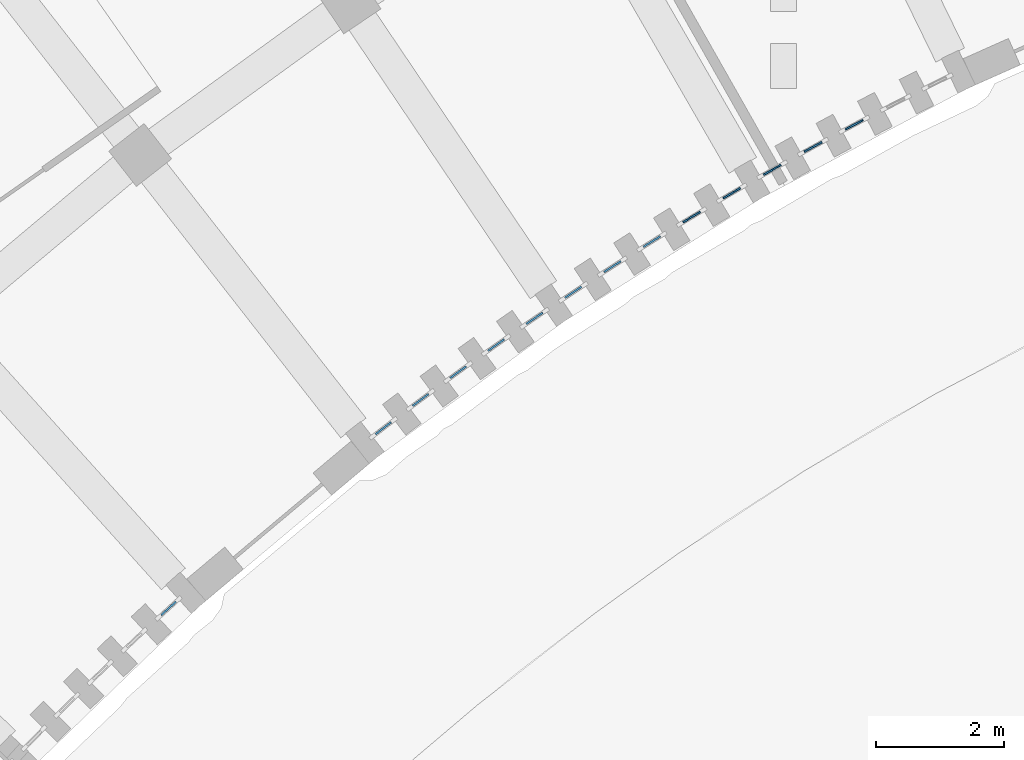
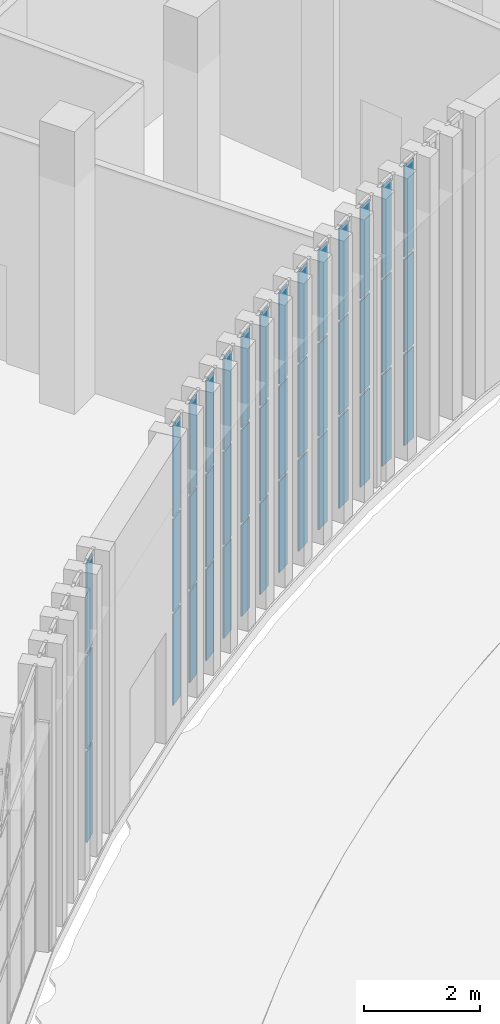
# One storey, part 73 of 155: 42 plates, 14 elements without a shape of their own.
"""IFC4 building model written with IfcOpenShell, lengths in metres."""

import ifcopenshell
import ifcopenshell.guid

model = None  # the IFC model being written
_history = None  # IfcOwnerHistory: only IFC2X3 demands one
_inside = {}  # id of a spatial element -> (the spatial element, [elements in it])
_under = {}  # id of a project, library or spatial element -> (it, [spatial elements below it])
_declared = {}  # id of a project -> (the project, [libraries it declares])
_typed = {}  # id of a type object -> (the type object, [elements of that type])
_made_of = {}  # id of a material, layer set ... -> (it, [elements and type objects made of it])


def new_model(schema):
    """Start an empty IFC model of exactly this schema.

    Asked for "IFC4X3", IfcOpenShell would pick the latest addendum, in which some entities
    have other attributes; the version numbers below select the first issue.
    IFC2X3 requires an IfcOwnerHistory on every rooted entity: one is made here for all.
    """
    global model, _history
    if schema == "IFC4X3":
        model = ifcopenshell.file(schema_version=(4, 3, 0, 0))
    else:
        model = ifcopenshell.file(schema=schema)
    _inside.clear()
    _under.clear()
    _declared.clear()
    _typed.clear()
    _made_of.clear()
    _history = None
    if model.schema == "IFC2X3":
        org = make("IfcOrganization", Name="unknown")
        user = make(
            "IfcPersonAndOrganization",
            ThePerson=make("IfcPerson", FamilyName="unknown"),
            TheOrganization=org,
        )
        app = make(
            "IfcApplication",
            ApplicationDeveloper=org,
            Version="unknown",
            ApplicationFullName="unknown",
            ApplicationIdentifier="unknown",
        )
        _history = make(
            "IfcOwnerHistory",
            OwningUser=user,
            OwningApplication=app,
            ChangeAction="ADDED",
            CreationDate=0,
        )
    return model


def make(cls, **values):
    """One entity of the class cls with the attributes given. An attribute that is None is left unset."""
    return model.create_entity(
        cls, **{name: value for name, value in values.items() if value is not None}
    )


def rooted(cls, **values):
    """An entity with a GlobalId (a new one), such as an element, a storey or a relation."""
    return make(cls, GlobalId=ifcopenshell.guid.new(), OwnerHistory=_history, **values)


def si_unit(unit_type, name, prefix=None):
    """IfcSIUnit, for example si_unit("LENGTHUNIT", "METRE", prefix="MILLI")."""
    return make("IfcSIUnit", UnitType=unit_type, Prefix=prefix, Name=name)


def assignment(units):
    """IfcUnitAssignment: the units of a project."""
    return None if units is None else make("IfcUnitAssignment", Units=units)


def point(xyz):
    """IfcCartesianPoint."""
    return None if xyz is None else make("IfcCartesianPoint", Coordinates=xyz)


def direction(xyz):
    """IfcDirection."""
    return None if xyz is None else make("IfcDirection", DirectionRatios=xyz)


def frame(location, z_axis=None, x_axis=None):
    """IfcAxis2Placement3D, a coordinate frame: its origin and axes. An axis left out is left unset."""
    return make(
        "IfcAxis2Placement3D",
        Location=point(location),
        Axis=direction(z_axis),
        RefDirection=direction(x_axis),
    )


def frame_2d(location, x_axis=None):
    """IfcAxis2Placement2D, a coordinate frame in the plane: its origin and x axis."""
    return make(
        "IfcAxis2Placement2D", Location=point(location), RefDirection=direction(x_axis)
    )


def origin():
    """The frame at (0, 0, 0) with its axes left unset."""
    return frame((0.0, 0.0, 0.0))


def origin_2d():
    """The frame at (0, 0) in the plane with its x axis left unset."""
    return frame_2d((0.0, 0.0))


def place(relative_to, where):
    """IfcLocalPlacement: puts the frame where relative to a parent placement (None: the world)."""
    return make(
        "IfcLocalPlacement", PlacementRelTo=relative_to, RelativePlacement=where
    )


def context(
    kind, dimensions, precision=None, world=None, true_north=None, identifier=None
):
    """IfcGeometricRepresentationContext, for example the 3D "Model" context."""
    return make(
        "IfcGeometricRepresentationContext",
        ContextIdentifier=identifier,
        ContextType=kind,
        CoordinateSpaceDimension=dimensions,
        Precision=precision,
        WorldCoordinateSystem=world,
        TrueNorth=true_north,
    )


def subcontext(parent, identifier, kind, view, scale=None):
    """IfcGeometricRepresentationSubContext, for example "Body" below "Model"."""
    return make(
        "IfcGeometricRepresentationSubContext",
        ContextIdentifier=identifier,
        ContextType=kind,
        ParentContext=parent,
        TargetScale=scale,
        TargetView=view,
    )


def project(units=None, contexts=None):
    """IfcProject with its units and contexts."""
    return rooted(
        "IfcProject",
        Name="project",
        RepresentationContexts=contexts,
        UnitsInContext=assignment(units),
    )


def spatial(cls, under=None, at=None, **own):
    """A site, building, storey or space (cls), placed at a placement, below another one or the project."""
    s = rooted(cls, ObjectPlacement=at, **own)
    if under is not None:
        _under.setdefault(under.id(), (under, []))[1].append(s)
    return s


def profile(cls, at=None, kind="AREA", **sizes):
    """A parametric profile (cls). Its sizes go by their IFC names, for example OverallWidth=200.0."""
    return make(cls, ProfileType=kind, Position=at, **sizes)


def rectangle(**sizes):
    """IfcRectangleProfileDef."""
    return profile("IfcRectangleProfileDef", **sizes)


def extrude(swept, where, along, depth):
    """IfcExtrudedAreaSolid: the profile swept, set in the frame where, extruded along a direction by depth."""
    return make(
        "IfcExtrudedAreaSolid",
        SweptArea=swept,
        Position=where,
        ExtrudedDirection=direction(along),
        Depth=depth,
    )


def shape(context_of_items, identifier, shape_type, items):
    """IfcShapeRepresentation: the items that make up one representation, for example the "Body"."""
    return make(
        "IfcShapeRepresentation",
        ContextOfItems=context_of_items,
        RepresentationIdentifier=identifier,
        RepresentationType=shape_type,
        Items=items,
    )


def material(Name=None, Category=None):
    """IfcMaterial."""
    return make("IfcMaterial", Name=Name, Category=Category)


def layer(
    of_material, thickness, ventilated=None, Name=None, Category=None, Priority=None
):
    """IfcMaterialLayer: one layer of a wall or slab, of a material (None: an air gap)."""
    return make(
        "IfcMaterialLayer",
        Material=of_material,
        LayerThickness=thickness,
        IsVentilated=ventilated,
        Name=Name,
        Category=Category,
        Priority=Priority,
    )


def layer_set(layers, Name=None):
    """IfcMaterialLayerSet."""
    return make("IfcMaterialLayerSet", MaterialLayers=layers, LayerSetName=Name)


def made_of(thing, what):
    """Note that an element or type object is made of a material, layer set ...; save() writes the relation."""
    if what is not None:
        _made_of.setdefault(what.id(), (what, []))[1].append(thing)
    return thing


def type_object(cls, material=None, **own):
    """A type object (cls), such as IfcWallType, which elements share."""
    return made_of(rooted(cls, **own), material)


def element(
    cls,
    number,
    at=None,
    inside=None,
    cuts=None,
    type_object=None,
    material=None,
    context=None,
    identifier="Body",
    shape_type=None,
    held_by="IfcProductDefinitionShape",
    body=None,
    shapes=None,
    **own,
):
    """One element of the class cls, such as IfcWall. Its Tag is "e" and its number.

    at: its placement. inside: the storey or other place that contains it. cuts: it is an
    opening in that element (IfcRelVoidsElement). A single representation is given by context,
    identifier, shape_type and body (its items); several are given by shapes. held_by: the class
    of the entity that holds the representations. save() writes the other relations.
    """
    e = rooted(cls, Tag="e%d" % number, ObjectPlacement=at, **own)
    if body is not None:
        shapes = [shape(context, identifier, shape_type, body)]
    if shapes is not None:
        e.Representation = make(held_by, Representations=shapes)
    if inside is not None:
        _inside.setdefault(inside.id(), (inside, []))[1].append(e)
    if cuts is not None:
        rooted(
            "IfcRelVoidsElement", RelatingBuildingElement=cuts, RelatedOpeningElement=e
        )
    if type_object is not None:
        _typed.setdefault(type_object.id(), (type_object, []))[1].append(e)
    return made_of(e, material)


def aggregate(whole, parts):
    """IfcRelAggregates: a whole, such as a stair, and the parts it consists of."""
    return rooted("IfcRelAggregates", RelatingObject=whole, RelatedObjects=parts)


def save(model, path):
    """Write the relations noted so far, then the file.

    IfcRelAggregates (storeys below a building ...), IfcRelContainedInSpatialStructure (elements
    in a storey), IfcRelDefinesByType, IfcRelAssociatesMaterial and IfcRelDeclares: one each for
    every whole, place, type object, material and project.
    """
    for whole, parts in _under.values():
        aggregate(whole, parts)
    for where, things in _inside.values():
        rooted(
            "IfcRelContainedInSpatialStructure",
            RelatedElements=things,
            RelatingStructure=where,
        )
    for kind, things in _typed.values():
        rooted("IfcRelDefinesByType", RelatedObjects=things, RelatingType=kind)
    for what, things in _made_of.values():
        rooted("IfcRelAssociatesMaterial", RelatedObjects=things, RelatingMaterial=what)
    for by, libraries in _declared.values():
        rooted("IfcRelDeclares", RelatingContext=by, RelatedDefinitions=libraries)
    model.write(path)


model = new_model("IFC4")

# Units and contexts
model_context = context("Model", 3, precision=1e-05, world=origin(), true_north=direction((0.0, 1.0)))
body_context = subcontext(model_context, "Body", "Model", "MODEL_VIEW")
ifc_project = project(units=[si_unit("LENGTHUNIT", "METRE"), si_unit("AREAUNIT", "SQUARE_METRE"), si_unit("VOLUMEUNIT", "CUBIC_METRE"), si_unit("PLANEANGLEUNIT", "RADIAN"), si_unit("MASSUNIT", "GRAM", prefix="KILO")], contexts=[model_context])

# Site, building, storey
site_placement = place(None, origin())
site = spatial("IfcSite", under=ifc_project, at=site_placement, CompositionType="ELEMENT")
building_placement = place(site_placement, origin())
building = spatial("IfcBuilding", under=site, at=building_placement, Name="Lunette Opera House", CompositionType="ELEMENT")
storey_placement = place(building_placement, origin())
storey = spatial("IfcBuildingStorey", under=building, at=storey_placement, Name="L00", CompositionType="ELEMENT", Elevation=0.0)

# Curtain wall, plates
ifc_material_1 = material(Name="Aluminium", Category="aluminium")
ifc_layer_1 = layer(ifc_material_1, 0.1201171875)
ifc_layer_set_1 = layer_set([ifc_layer_1], Name="Aluminium")
curtain_wall_type = type_object("IfcCurtainWallType", Name="SLOT CURTAIN WALL", PredefinedType="NOTDEFINED", material=ifc_layer_set_1)
curtain_wall_1_placement = place(storey_placement, origin())
curtain_wall_1 = element("IfcCurtainWall", 1, at=curtain_wall_1_placement, inside=storey, type_object=curtain_wall_type, Name="Slot Curtain Wall CS005 L00", PredefinedType="NOTDEFINED")
ifc_material_2 = material(Name="Laminated glass", Category="glass")
ifc_layer_2 = layer(ifc_material_2, 0.028076171875)
ifc_layer_set_2 = layer_set([ifc_layer_2], Name="Laminated glass")
plate_type = type_object("IfcPlateType", Name="CURTAIN PANEL LAMINATED GLASS 28", PredefinedType="CURTAIN_PANEL", material=ifc_layer_set_2)
plate_1_placement = place(storey_placement, frame((60.73388671875, 38.62109375, 0.06005859375), z_axis=(0.0, 0.0, 1.0), x_axis=(0.738887791071, 0.673828488716, 0.0)))
plate_1 = element("IfcPlate", 2, at=plate_1_placement, type_object=plate_type, Name="FC-X2009 panel 1.1", PredefinedType="CURTAIN_PANEL", context=body_context, shape_type="SweptSolid", body=[
    extrude(rectangle(XDim=0.310302734375, YDim=0.028076171875, at=origin_2d()), origin(), (0.0, 0.0, 1.0), 1.909912109375),
])
plate_2_placement = place(storey_placement, frame((60.73388671875, 38.62109375, 2.030029296875), z_axis=(0.0, 0.0, 1.0), x_axis=(0.738887791071, 0.673828488716, 0.0)))
plate_2 = element("IfcPlate", 3, at=plate_2_placement, type_object=plate_type, Name="FC-X2009 panel 1.2", PredefinedType="CURTAIN_PANEL", context=body_context, shape_type="SweptSolid", body=[
    extrude(rectangle(XDim=0.310302734375, YDim=0.028076171875, at=origin_2d()), origin(), (0.0, 0.0, 1.0), 1.93994140625),
])
plate_3_placement = place(storey_placement, frame((60.73388671875, 38.62109375, 4.0302734375), z_axis=(0.0, 0.0, 1.0), x_axis=(0.738887791071, 0.673828488716, 0.0)))
plate_3 = element("IfcPlate", 4, at=plate_3_placement, type_object=plate_type, Name="FC-X2009 panel 1.3", PredefinedType="CURTAIN_PANEL", context=body_context, shape_type="SweptSolid", body=[
    extrude(rectangle(XDim=0.310302734375, YDim=0.028076171875, at=origin_2d()), origin(), (0.0, 0.0, 1.0), 1.909912109375),
])
aggregate(curtain_wall_1, [plate_1, plate_2, plate_3])

curtain_wall_2_placement = place(storey_placement, origin())
curtain_wall_2 = element("IfcCurtainWall", 5, at=curtain_wall_2_placement, inside=storey, type_object=curtain_wall_type, Name="Slot Curtain Wall CS006 L00", PredefinedType="NOTDEFINED")
plate_4_placement = place(storey_placement, frame((64.089599609375, 41.4365234375, 0.06005859375), z_axis=(0.0, 0.0, 1.0), x_axis=(0.791846424704, 0.610720263036, 0.0)))
plate_4 = element("IfcPlate", 6, at=plate_4_placement, type_object=plate_type, Name="FC-X2011 panel 1.1", PredefinedType="CURTAIN_PANEL", context=body_context, shape_type="SweptSolid", body=[
    extrude(rectangle(XDim=0.310546875, YDim=0.028076171875, at=origin_2d()), origin(), (0.0, 0.0, 1.0), 1.909912109375),
])
plate_5_placement = place(storey_placement, frame((64.089599609375, 41.4365234375, 2.030029296875), z_axis=(0.0, 0.0, 1.0), x_axis=(0.791846424704, 0.610720263036, 0.0)))
plate_5 = element("IfcPlate", 7, at=plate_5_placement, type_object=plate_type, Name="FC-X2011 panel 1.2", PredefinedType="CURTAIN_PANEL", context=body_context, shape_type="SweptSolid", body=[
    extrude(rectangle(XDim=0.310546875, YDim=0.028076171875, at=origin_2d()), origin(), (0.0, 0.0, 1.0), 1.93994140625),
])
plate_6_placement = place(storey_placement, frame((64.089599609375, 41.4365234375, 4.0302734375), z_axis=(0.0, 0.0, 1.0), x_axis=(0.791846424704, 0.610720263036, 0.0)))
plate_6 = element("IfcPlate", 8, at=plate_6_placement, type_object=plate_type, Name="FC-X2011 panel 1.3", PredefinedType="CURTAIN_PANEL", context=body_context, shape_type="SweptSolid", body=[
    extrude(rectangle(XDim=0.310546875, YDim=0.028076171875, at=origin_2d()), origin(), (0.0, 0.0, 1.0), 1.909912109375),
])
aggregate(curtain_wall_2, [plate_4, plate_5, plate_6])

curtain_wall_3_placement = place(storey_placement, origin())
curtain_wall_3 = element("IfcCurtainWall", 9, at=curtain_wall_3_placement, inside=storey, type_object=curtain_wall_type, Name="Slot Curtain Wall CS007 L00", PredefinedType="NOTDEFINED")
plate_7_placement = place(storey_placement, frame((64.67138671875, 41.8779296875, 0.06005859375), z_axis=(0.0, 0.0, 1.0), x_axis=(0.800834877873, 0.598885213026, 0.0)))
plate_7 = element("IfcPlate", 10, at=plate_7_placement, type_object=plate_type, Name="FC-X2013 panel 1.1", PredefinedType="CURTAIN_PANEL", context=body_context, shape_type="SweptSolid", body=[
    extrude(rectangle(XDim=0.310791015625, YDim=0.028076171875, at=origin_2d()), origin(), (0.0, 0.0, 1.0), 1.909912109375),
])
plate_8_placement = place(storey_placement, frame((64.67138671875, 41.8779296875, 2.030029296875), z_axis=(0.0, 0.0, 1.0), x_axis=(0.800834877873, 0.598885213026, 0.0)))
plate_8 = element("IfcPlate", 11, at=plate_8_placement, type_object=plate_type, Name="FC-X2013 panel 1.2", PredefinedType="CURTAIN_PANEL", context=body_context, shape_type="SweptSolid", body=[
    extrude(rectangle(XDim=0.310791015625, YDim=0.028076171875, at=origin_2d()), origin(), (0.0, 0.0, 1.0), 1.93994140625),
])
plate_9_placement = place(storey_placement, frame((64.67138671875, 41.8779296875, 4.0302734375), z_axis=(0.0, 0.0, 1.0), x_axis=(0.800834877873, 0.598885213026, 0.0)))
plate_9 = element("IfcPlate", 12, at=plate_9_placement, type_object=plate_type, Name="FC-X2013 panel 1.3", PredefinedType="CURTAIN_PANEL", context=body_context, shape_type="SweptSolid", body=[
    extrude(rectangle(XDim=0.310791015625, YDim=0.028076171875, at=origin_2d()), origin(), (0.0, 0.0, 1.0), 1.909912109375),
])
aggregate(curtain_wall_3, [plate_7, plate_8, plate_9])

curtain_wall_4_placement = place(storey_placement, origin())
curtain_wall_4 = element("IfcCurtainWall", 13, at=curtain_wall_4_placement, inside=storey, type_object=curtain_wall_type, Name="Slot Curtain Wall CS008 L00", PredefinedType="NOTDEFINED")
plate_10_placement = place(storey_placement, frame((65.259033203125, 42.3115234375, 0.06005859375), z_axis=(0.0, 0.0, 1.0), x_axis=(0.808836580304, 0.58803349085, 0.0)))
plate_10 = element("IfcPlate", 14, at=plate_10_placement, type_object=plate_type, Name="FC-X2015 panel 1.1", PredefinedType="CURTAIN_PANEL", context=body_context, shape_type="SweptSolid", body=[
    extrude(rectangle(XDim=0.310302734375, YDim=0.028076171875, at=origin_2d()), origin(), (0.0, 0.0, 1.0), 1.909912109375),
])
plate_11_placement = place(storey_placement, frame((65.259033203125, 42.3115234375, 2.030029296875), z_axis=(0.0, 0.0, 1.0), x_axis=(0.808836580304, 0.58803349085, 0.0)))
plate_11 = element("IfcPlate", 15, at=plate_11_placement, type_object=plate_type, Name="FC-X2015 panel 1.2", PredefinedType="CURTAIN_PANEL", context=body_context, shape_type="SweptSolid", body=[
    extrude(rectangle(XDim=0.310302734375, YDim=0.028076171875, at=origin_2d()), origin(), (0.0, 0.0, 1.0), 1.93994140625),
])
plate_12_placement = place(storey_placement, frame((65.259033203125, 42.3115234375, 4.0302734375), z_axis=(0.0, 0.0, 1.0), x_axis=(0.808836580304, 0.58803349085, 0.0)))
plate_12 = element("IfcPlate", 16, at=plate_12_placement, type_object=plate_type, Name="FC-X2015 panel 1.3", PredefinedType="CURTAIN_PANEL", context=body_context, shape_type="SweptSolid", body=[
    extrude(rectangle(XDim=0.310302734375, YDim=0.028076171875, at=origin_2d()), origin(), (0.0, 0.0, 1.0), 1.909912109375),
])
aggregate(curtain_wall_4, [plate_10, plate_11, plate_12])

curtain_wall_5_placement = place(storey_placement, origin())
curtain_wall_5 = element("IfcCurtainWall", 17, at=curtain_wall_5_placement, inside=storey, type_object=curtain_wall_type, Name="Slot Curtain Wall CS009 L00", PredefinedType="NOTDEFINED")
plate_13_placement = place(storey_placement, frame((65.85302734375, 42.736083984375, 0.06005859375), z_axis=(0.0, 0.0, 1.0), x_axis=(0.817482433129, 0.575953532436, 0.0)))
plate_13 = element("IfcPlate", 18, at=plate_13_placement, type_object=plate_type, Name="FC-X2017 panel 1.1", PredefinedType="CURTAIN_PANEL", context=body_context, shape_type="SweptSolid", body=[
    extrude(rectangle(XDim=0.310546875, YDim=0.028076171875, at=origin_2d()), origin(), (0.0, 0.0, 1.0), 1.909912109375),
])
plate_14_placement = place(storey_placement, frame((65.85302734375, 42.736083984375, 2.030029296875), z_axis=(0.0, 0.0, 1.0), x_axis=(0.817482433129, 0.575953532436, 0.0)))
plate_14 = element("IfcPlate", 19, at=plate_14_placement, type_object=plate_type, Name="FC-X2017 panel 1.2", PredefinedType="CURTAIN_PANEL", context=body_context, shape_type="SweptSolid", body=[
    extrude(rectangle(XDim=0.310546875, YDim=0.028076171875, at=origin_2d()), origin(), (0.0, 0.0, 1.0), 1.93994140625),
])
plate_15_placement = place(storey_placement, frame((65.85302734375, 42.736083984375, 4.0302734375), z_axis=(0.0, 0.0, 1.0), x_axis=(0.817482433129, 0.575953532436, 0.0)))
plate_15 = element("IfcPlate", 20, at=plate_15_placement, type_object=plate_type, Name="FC-X2017 panel 1.3", PredefinedType="CURTAIN_PANEL", context=body_context, shape_type="SweptSolid", body=[
    extrude(rectangle(XDim=0.310546875, YDim=0.028076171875, at=origin_2d()), origin(), (0.0, 0.0, 1.0), 1.909912109375),
])
aggregate(curtain_wall_5, [plate_13, plate_14, plate_15])

curtain_wall_6_placement = place(storey_placement, origin())
curtain_wall_6 = element("IfcCurtainWall", 21, at=curtain_wall_6_placement, inside=storey, type_object=curtain_wall_type, Name="Slot Curtain Wall CS010 L00", PredefinedType="NOTDEFINED")
plate_16_placement = place(storey_placement, frame((66.452392578125, 43.153564453125, 0.06005859375), z_axis=(0.0, 0.0, 1.0), x_axis=(0.825193212937, 0.56485056548, 0.0)))
plate_16 = element("IfcPlate", 22, at=plate_16_placement, type_object=plate_type, Name="FC-X2019 panel 1.1", PredefinedType="CURTAIN_PANEL", context=body_context, shape_type="SweptSolid", body=[
    extrude(rectangle(XDim=0.310302734375, YDim=0.028076171875, at=origin_2d()), origin(), (0.0, 0.0, 1.0), 1.909912109375),
])
plate_17_placement = place(storey_placement, frame((66.452392578125, 43.153564453125, 2.030029296875), z_axis=(0.0, 0.0, 1.0), x_axis=(0.825193212937, 0.56485056548, 0.0)))
plate_17 = element("IfcPlate", 23, at=plate_17_placement, type_object=plate_type, Name="FC-X2019 panel 1.2", PredefinedType="CURTAIN_PANEL", context=body_context, shape_type="SweptSolid", body=[
    extrude(rectangle(XDim=0.310302734375, YDim=0.028076171875, at=origin_2d()), origin(), (0.0, 0.0, 1.0), 1.93994140625),
])
plate_18_placement = place(storey_placement, frame((66.452392578125, 43.153564453125, 4.0302734375), z_axis=(0.0, 0.0, 1.0), x_axis=(0.825193212937, 0.56485056548, 0.0)))
plate_18 = element("IfcPlate", 24, at=plate_18_placement, type_object=plate_type, Name="FC-X2019 panel 1.3", PredefinedType="CURTAIN_PANEL", context=body_context, shape_type="SweptSolid", body=[
    extrude(rectangle(XDim=0.310302734375, YDim=0.028076171875, at=origin_2d()), origin(), (0.0, 0.0, 1.0), 1.909912109375),
])
aggregate(curtain_wall_6, [plate_16, plate_17, plate_18])

curtain_wall_7_placement = place(storey_placement, origin())
curtain_wall_7 = element("IfcCurtainWall", 25, at=curtain_wall_7_placement, inside=storey, type_object=curtain_wall_type, Name="Slot Curtain Wall CS011 L00", PredefinedType="NOTDEFINED")
plate_19_placement = place(storey_placement, frame((67.05810546875, 43.56103515625, 0.06005859375), z_axis=(0.0, 0.0, 1.0), x_axis=(0.832765343277, 0.553626122068, 0.0)))
plate_19 = element("IfcPlate", 26, at=plate_19_placement, type_object=plate_type, Name="FC-X2021 panel 1.1", PredefinedType="CURTAIN_PANEL", context=body_context, shape_type="SweptSolid", body=[
    extrude(rectangle(XDim=0.309814453125, YDim=0.028076171875, at=origin_2d()), origin(), (0.0, 0.0, 1.0), 1.909912109375),
])
plate_20_placement = place(storey_placement, frame((67.05810546875, 43.56103515625, 2.030029296875), z_axis=(0.0, 0.0, 1.0), x_axis=(0.832765343277, 0.553626122068, 0.0)))
plate_20 = element("IfcPlate", 27, at=plate_20_placement, type_object=plate_type, Name="FC-X2021 panel 1.2", PredefinedType="CURTAIN_PANEL", context=body_context, shape_type="SweptSolid", body=[
    extrude(rectangle(XDim=0.309814453125, YDim=0.028076171875, at=origin_2d()), origin(), (0.0, 0.0, 1.0), 1.93994140625),
])
plate_21_placement = place(storey_placement, frame((67.05810546875, 43.56103515625, 4.0302734375), z_axis=(0.0, 0.0, 1.0), x_axis=(0.832765343277, 0.553626122068, 0.0)))
plate_21 = element("IfcPlate", 28, at=plate_21_placement, type_object=plate_type, Name="FC-X2021 panel 1.3", PredefinedType="CURTAIN_PANEL", context=body_context, shape_type="SweptSolid", body=[
    extrude(rectangle(XDim=0.309814453125, YDim=0.028076171875, at=origin_2d()), origin(), (0.0, 0.0, 1.0), 1.909912109375),
])
aggregate(curtain_wall_7, [plate_19, plate_20, plate_21])

curtain_wall_8_placement = place(storey_placement, origin())
curtain_wall_8 = element("IfcCurtainWall", 29, at=curtain_wall_8_placement, inside=storey, type_object=curtain_wall_type, Name="Slot Curtain Wall CS012 L00", PredefinedType="NOTDEFINED")
plate_22_placement = place(storey_placement, frame((67.6689453125, 43.96142578125, 0.06005859375), z_axis=(0.0, 0.0, 1.0), x_axis=(0.840876455946, 0.541227111143, 0.0)))
plate_22 = element("IfcPlate", 30, at=plate_22_placement, type_object=plate_type, Name="FC-X2023 panel 1.1", PredefinedType="CURTAIN_PANEL", context=body_context, shape_type="SweptSolid", body=[
    extrude(rectangle(XDim=0.310546875, YDim=0.028076171875, at=origin_2d()), origin(), (0.0, 0.0, 1.0), 1.909912109375),
])
plate_23_placement = place(storey_placement, frame((67.6689453125, 43.96142578125, 2.030029296875), z_axis=(0.0, 0.0, 1.0), x_axis=(0.840876455946, 0.541227111143, 0.0)))
plate_23 = element("IfcPlate", 31, at=plate_23_placement, type_object=plate_type, Name="FC-X2023 panel 1.2", PredefinedType="CURTAIN_PANEL", context=body_context, shape_type="SweptSolid", body=[
    extrude(rectangle(XDim=0.310546875, YDim=0.028076171875, at=origin_2d()), origin(), (0.0, 0.0, 1.0), 1.93994140625),
])
plate_24_placement = place(storey_placement, frame((67.6689453125, 43.96142578125, 4.0302734375), z_axis=(0.0, 0.0, 1.0), x_axis=(0.840876455946, 0.541227111143, 0.0)))
plate_24 = element("IfcPlate", 32, at=plate_24_placement, type_object=plate_type, Name="FC-X2023 panel 1.3", PredefinedType="CURTAIN_PANEL", context=body_context, shape_type="SweptSolid", body=[
    extrude(rectangle(XDim=0.310546875, YDim=0.028076171875, at=origin_2d()), origin(), (0.0, 0.0, 1.0), 1.909912109375),
])
aggregate(curtain_wall_8, [plate_22, plate_23, plate_24])

curtain_wall_9_placement = place(storey_placement, origin())
curtain_wall_9 = element("IfcCurtainWall", 33, at=curtain_wall_9_placement, inside=storey, type_object=curtain_wall_type, Name="Slot Curtain Wall CS013 L00", PredefinedType="NOTDEFINED")
plate_25_placement = place(storey_placement, frame((68.285400390625, 44.35302734375, 0.06005859375), z_axis=(0.0, 0.0, 1.0), x_axis=(0.848128819893, 0.52979005735, 0.0)))
plate_25 = element("IfcPlate", 34, at=plate_25_placement, type_object=plate_type, Name="FC-X2025 panel 1.1", PredefinedType="CURTAIN_PANEL", context=body_context, shape_type="SweptSolid", body=[
    extrude(rectangle(XDim=0.310302734375, YDim=0.028076171875, at=origin_2d()), origin(), (0.0, 0.0, 1.0), 1.909912109375),
])
plate_26_placement = place(storey_placement, frame((68.285400390625, 44.35302734375, 2.030029296875), z_axis=(0.0, 0.0, 1.0), x_axis=(0.848128819893, 0.52979005735, 0.0)))
plate_26 = element("IfcPlate", 35, at=plate_26_placement, type_object=plate_type, Name="FC-X2025 panel 1.2", PredefinedType="CURTAIN_PANEL", context=body_context, shape_type="SweptSolid", body=[
    extrude(rectangle(XDim=0.310302734375, YDim=0.028076171875, at=origin_2d()), origin(), (0.0, 0.0, 1.0), 1.93994140625),
])
plate_27_placement = place(storey_placement, frame((68.285400390625, 44.35302734375, 4.0302734375), z_axis=(0.0, 0.0, 1.0), x_axis=(0.848128819893, 0.52979005735, 0.0)))
plate_27 = element("IfcPlate", 36, at=plate_27_placement, type_object=plate_type, Name="FC-X2025 panel 1.3", PredefinedType="CURTAIN_PANEL", context=body_context, shape_type="SweptSolid", body=[
    extrude(rectangle(XDim=0.310302734375, YDim=0.028076171875, at=origin_2d()), origin(), (0.0, 0.0, 1.0), 1.909912109375),
])
aggregate(curtain_wall_9, [plate_25, plate_26, plate_27])

curtain_wall_10_placement = place(storey_placement, origin())
curtain_wall_10 = element("IfcCurtainWall", 37, at=curtain_wall_10_placement, inside=storey, type_object=curtain_wall_type, Name="Slot Curtain Wall CS014 L00", PredefinedType="NOTDEFINED")
plate_28_placement = place(storey_placement, frame((68.906982421875, 44.735595703125, 0.06005859375), z_axis=(0.0, 0.0, 1.0), x_axis=(0.855229045475, 0.518250209625, 0.0)))
plate_28 = element("IfcPlate", 38, at=plate_28_placement, type_object=plate_type, Name="FC-X2027 panel 1.1", PredefinedType="CURTAIN_PANEL", context=body_context, shape_type="SweptSolid", body=[
    extrude(rectangle(XDim=0.310302734375, YDim=0.028076171875, at=origin_2d()), origin(), (0.0, 0.0, 1.0), 1.909912109375),
])
plate_29_placement = place(storey_placement, frame((68.906982421875, 44.735595703125, 2.030029296875), z_axis=(0.0, 0.0, 1.0), x_axis=(0.855229045475, 0.518250209625, 0.0)))
plate_29 = element("IfcPlate", 39, at=plate_29_placement, type_object=plate_type, Name="FC-X2027 panel 1.2", PredefinedType="CURTAIN_PANEL", context=body_context, shape_type="SweptSolid", body=[
    extrude(rectangle(XDim=0.310302734375, YDim=0.028076171875, at=origin_2d()), origin(), (0.0, 0.0, 1.0), 1.93994140625),
])
plate_30_placement = place(storey_placement, frame((68.906982421875, 44.735595703125, 4.0302734375), z_axis=(0.0, 0.0, 1.0), x_axis=(0.855229045475, 0.518250209625, 0.0)))
plate_30 = element("IfcPlate", 40, at=plate_30_placement, type_object=plate_type, Name="FC-X2027 panel 1.3", PredefinedType="CURTAIN_PANEL", context=body_context, shape_type="SweptSolid", body=[
    extrude(rectangle(XDim=0.310302734375, YDim=0.028076171875, at=origin_2d()), origin(), (0.0, 0.0, 1.0), 1.909912109375),
])
aggregate(curtain_wall_10, [plate_28, plate_29, plate_30])

curtain_wall_11_placement = place(storey_placement, origin())
curtain_wall_11 = element("IfcCurtainWall", 41, at=curtain_wall_11_placement, inside=storey, type_object=curtain_wall_type, Name="Slot Curtain Wall CS015 L00", PredefinedType="NOTDEFINED")
plate_31_placement = place(storey_placement, frame((69.534423828125, 45.10888671875, 0.06005859375), z_axis=(0.0, 0.0, 1.0), x_axis=(0.862173082583, 0.506613832884, 0.0)))
plate_31 = element("IfcPlate", 42, at=plate_31_placement, type_object=plate_type, Name="FC-X2029 panel 1.1", PredefinedType="CURTAIN_PANEL", context=body_context, shape_type="SweptSolid", body=[
    extrude(rectangle(XDim=0.310302734375, YDim=0.028076171875, at=origin_2d()), origin(), (0.0, 0.0, 1.0), 1.909912109375),
])
plate_32_placement = place(storey_placement, frame((69.534423828125, 45.10888671875, 2.030029296875), z_axis=(0.0, 0.0, 1.0), x_axis=(0.862173082583, 0.506613832884, 0.0)))
plate_32 = element("IfcPlate", 43, at=plate_32_placement, type_object=plate_type, Name="FC-X2029 panel 1.2", PredefinedType="CURTAIN_PANEL", context=body_context, shape_type="SweptSolid", body=[
    extrude(rectangle(XDim=0.310302734375, YDim=0.028076171875, at=origin_2d()), origin(), (0.0, 0.0, 1.0), 1.93994140625),
])
plate_33_placement = place(storey_placement, frame((69.534423828125, 45.10888671875, 4.0302734375), z_axis=(0.0, 0.0, 1.0), x_axis=(0.862173082583, 0.506613832884, 0.0)))
plate_33 = element("IfcPlate", 44, at=plate_33_placement, type_object=plate_type, Name="FC-X2029 panel 1.3", PredefinedType="CURTAIN_PANEL", context=body_context, shape_type="SweptSolid", body=[
    extrude(rectangle(XDim=0.310302734375, YDim=0.028076171875, at=origin_2d()), origin(), (0.0, 0.0, 1.0), 1.909912109375),
])
aggregate(curtain_wall_11, [plate_31, plate_32, plate_33])

curtain_wall_12_placement = place(storey_placement, origin())
curtain_wall_12 = element("IfcCurtainWall", 45, at=curtain_wall_12_placement, inside=storey, type_object=curtain_wall_type, Name="Slot Curtain Wall CS016 L00", PredefinedType="NOTDEFINED")
plate_34_placement = place(storey_placement, frame((70.1669921875, 45.47412109375, 0.06005859375), z_axis=(0.0, 0.0, 1.0), x_axis=(0.869955662474, 0.493129947711, 0.0)))
plate_34 = element("IfcPlate", 46, at=plate_34_placement, type_object=plate_type, Name="FC-X2031 panel 1.1", PredefinedType="CURTAIN_PANEL", context=body_context, shape_type="SweptSolid", body=[
    extrude(rectangle(XDim=0.309814453125, YDim=0.028076171875, at=origin_2d()), origin(), (0.0, 0.0, 1.0), 1.909912109375),
])
plate_35_placement = place(storey_placement, frame((70.1669921875, 45.47412109375, 2.030029296875), z_axis=(0.0, 0.0, 1.0), x_axis=(0.869955662474, 0.493129947711, 0.0)))
plate_35 = element("IfcPlate", 47, at=plate_35_placement, type_object=plate_type, Name="FC-X2031 panel 1.2", PredefinedType="CURTAIN_PANEL", context=body_context, shape_type="SweptSolid", body=[
    extrude(rectangle(XDim=0.309814453125, YDim=0.028076171875, at=origin_2d()), origin(), (0.0, 0.0, 1.0), 1.93994140625),
])
plate_36_placement = place(storey_placement, frame((70.1669921875, 45.47412109375, 4.0302734375), z_axis=(0.0, 0.0, 1.0), x_axis=(0.869955662474, 0.493129947711, 0.0)))
plate_36 = element("IfcPlate", 48, at=plate_36_placement, type_object=plate_type, Name="FC-X2031 panel 1.3", PredefinedType="CURTAIN_PANEL", context=body_context, shape_type="SweptSolid", body=[
    extrude(rectangle(XDim=0.309814453125, YDim=0.028076171875, at=origin_2d()), origin(), (0.0, 0.0, 1.0), 1.909912109375),
])
aggregate(curtain_wall_12, [plate_34, plate_35, plate_36])

curtain_wall_13_placement = place(storey_placement, origin())
curtain_wall_13 = element("IfcCurtainWall", 49, at=curtain_wall_13_placement, inside=storey, type_object=curtain_wall_type, Name="Slot Curtain Wall CS017 L00", PredefinedType="NOTDEFINED")
plate_37_placement = place(storey_placement, frame((70.804443359375, 45.83056640625, 0.06005859375), z_axis=(0.0, 0.0, 1.0), x_axis=(0.876559317425, 0.481293842715, 0.0)))
plate_37 = element("IfcPlate", 50, at=plate_37_placement, type_object=plate_type, Name="FC-X2033 panel 1.1", PredefinedType="CURTAIN_PANEL", context=body_context, shape_type="SweptSolid", body=[
    extrude(rectangle(XDim=0.31005859375, YDim=0.028076171875, at=origin_2d()), origin(), (0.0, 0.0, 1.0), 1.909912109375),
])
plate_38_placement = place(storey_placement, frame((70.804443359375, 45.83056640625, 2.030029296875), z_axis=(0.0, 0.0, 1.0), x_axis=(0.876559317425, 0.481293842715, 0.0)))
plate_38 = element("IfcPlate", 51, at=plate_38_placement, type_object=plate_type, Name="FC-X2033 panel 1.2", PredefinedType="CURTAIN_PANEL", context=body_context, shape_type="SweptSolid", body=[
    extrude(rectangle(XDim=0.31005859375, YDim=0.028076171875, at=origin_2d()), origin(), (0.0, 0.0, 1.0), 1.93994140625),
])
plate_39_placement = place(storey_placement, frame((70.804443359375, 45.83056640625, 4.0302734375), z_axis=(0.0, 0.0, 1.0), x_axis=(0.876559317425, 0.481293842715, 0.0)))
plate_39 = element("IfcPlate", 52, at=plate_39_placement, type_object=plate_type, Name="FC-X2033 panel 1.3", PredefinedType="CURTAIN_PANEL", context=body_context, shape_type="SweptSolid", body=[
    extrude(rectangle(XDim=0.31005859375, YDim=0.028076171875, at=origin_2d()), origin(), (0.0, 0.0, 1.0), 1.909912109375),
])
aggregate(curtain_wall_13, [plate_37, plate_38, plate_39])

curtain_wall_14_placement = place(storey_placement, origin())
curtain_wall_14 = element("IfcCurtainWall", 53, at=curtain_wall_14_placement, inside=storey, type_object=curtain_wall_type, Name="Slot Curtain Wall CS018 L00", PredefinedType="NOTDEFINED")
plate_40_placement = place(storey_placement, frame((71.447021484375, 46.177978515625, 0.06005859375), z_axis=(0.0, 0.0, 1.0), x_axis=(0.882995347914, 0.469381737569, 0.0)))
plate_40 = element("IfcPlate", 54, at=plate_40_placement, type_object=plate_type, Name="FC-X2035 panel 1.1", PredefinedType="CURTAIN_PANEL", context=body_context, shape_type="SweptSolid", body=[
    extrude(rectangle(XDim=0.310302734375, YDim=0.028076171875, at=origin_2d()), origin(), (0.0, 0.0, 1.0), 1.909912109375),
])
plate_41_placement = place(storey_placement, frame((71.447021484375, 46.177978515625, 2.030029296875), z_axis=(0.0, 0.0, 1.0), x_axis=(0.882995347914, 0.469381737569, 0.0)))
plate_41 = element("IfcPlate", 55, at=plate_41_placement, type_object=plate_type, Name="FC-X2035 panel 1.2", PredefinedType="CURTAIN_PANEL", context=body_context, shape_type="SweptSolid", body=[
    extrude(rectangle(XDim=0.310302734375, YDim=0.028076171875, at=origin_2d()), origin(), (0.0, 0.0, 1.0), 1.93994140625),
])
plate_42_placement = place(storey_placement, frame((71.447021484375, 46.177978515625, 4.0302734375), z_axis=(0.0, 0.0, 1.0), x_axis=(0.882995347914, 0.469381737569, 0.0)))
plate_42 = element("IfcPlate", 56, at=plate_42_placement, type_object=plate_type, Name="FC-X2035 panel 1.3", PredefinedType="CURTAIN_PANEL", context=body_context, shape_type="SweptSolid", body=[
    extrude(rectangle(XDim=0.310302734375, YDim=0.028076171875, at=origin_2d()), origin(), (0.0, 0.0, 1.0), 1.909912109375),
])
aggregate(curtain_wall_14, [plate_40, plate_41, plate_42])

save(model, "model.ifc")
